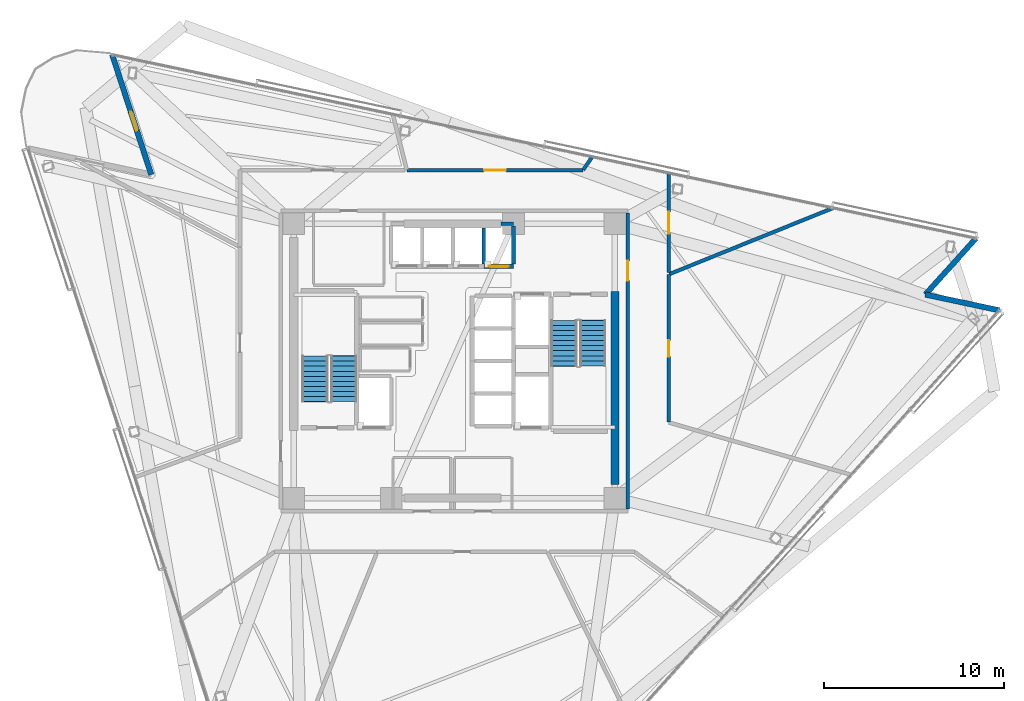
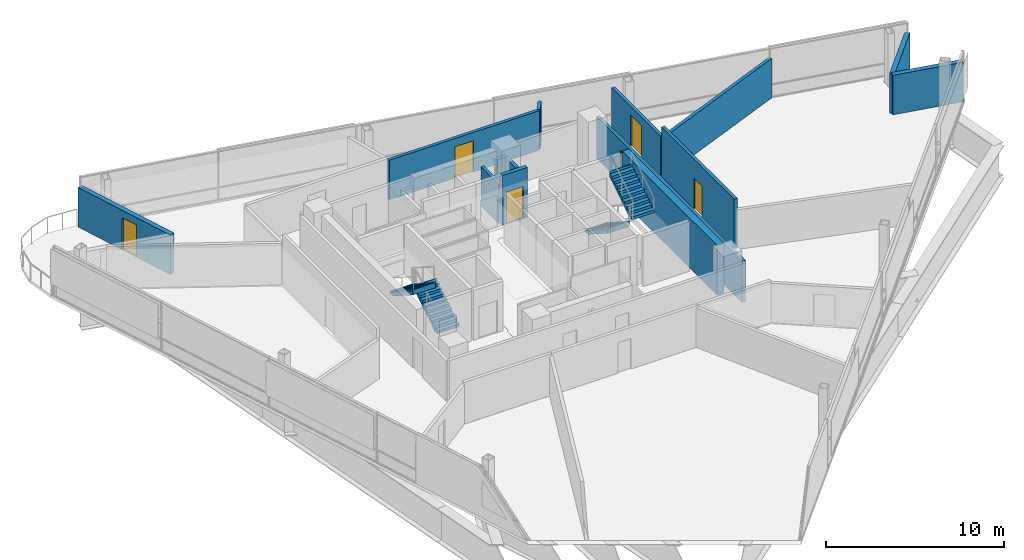
# One storey, part 12 of 17: 14 walls, 6 doors, 4 stair flights, 6 openings, 2 elements without a shape of their own.
"""IFC4 building model written with IfcOpenShell, lengths in metres."""

from ifc_helpers import new_model, si_unit, direction, frame, frame_2d, origin, place, context, subcontext, project, spatial, polyline, rectangle, outline, extrude, material, layer, layer_set, type_object, element, fill, aggregate, save


model = new_model("IFC4")

# Units and contexts
model_context = context("Model", 3, precision=1e-05, world=origin(), true_north=direction((0.0, 1.0)))
body_context = subcontext(model_context, "Body", "Model", "MODEL_VIEW")
ifc_project = project(units=[si_unit("LENGTHUNIT", "METRE"), si_unit("AREAUNIT", "SQUARE_METRE"), si_unit("VOLUMEUNIT", "CUBIC_METRE"), si_unit("PLANEANGLEUNIT", "RADIAN"), si_unit("MASSUNIT", "GRAM", prefix="KILO")], contexts=[model_context])

# Site, building, storey
site_placement = place(None, origin())
site = spatial("IfcSite", under=ifc_project, at=site_placement, CompositionType="ELEMENT")
building_placement = place(site_placement, origin())
building = spatial("IfcBuilding", under=site, at=building_placement, Name="Tharavind Bronze Gate", CompositionType="ELEMENT")
storey_placement = place(building_placement, frame((0.0, 0.0, 196.85009765625)))
storey = spatial("IfcBuildingStorey", under=building, at=storey_placement, Name="L50", CompositionType="ELEMENT", Elevation=196.85009765625)

# Wall, opening, door
ifc_material_1 = material(Name="Concrete C40/50", Category="concrete")
ifc_layer_1 = layer(ifc_material_1, 0.300048828125)
ifc_layer_set_1 = layer_set([ifc_layer_1], Name="Concrete C40/50")
wall_type_1 = type_object("IfcWallType", Name="EXTERIOR SPANDREL WALL 300", PredefinedType="STANDARD", material=ifc_layer_set_1)
wall_1_placement = place(storey_placement, frame((-18.959716796875, 16.967529296875, 0.0), z_axis=(0.0, 0.0, 1.0), x_axis=(0.309030708092, -0.951052060329, 0.0)))
wall_1 = element("IfcWall", 1, at=wall_1_placement, inside=storey, type_object=wall_type_1, Name="L50 notch cheek wall 1A", PredefinedType="STANDARD", context=body_context, shape_type="SweptSolid", body=[
    extrude(rectangle(XDim=6.979736328125, YDim=0.300048828125, at=frame_2d((3.48974609375, 0.0))), origin(), (0.0, 0.0, 1.0), 2.71484375),
])
opening_1_placement = place(wall_1_placement, frame((3.31005859375, 0.0, 0.0)))
opening_1 = element("IfcOpeningElement", 2, at=opening_1_placement, cuts=wall_1, Name="Opening ED04", PredefinedType="OPENING", context=body_context, shape_type="SweptSolid", body=[
    extrude(rectangle(XDim=1.10009765625, YDim=2.199951171875, at=frame_2d((0.550048828125, 1.10009765625))), frame((0.0, 0.15990234375, 0.0), z_axis=(0.0, -1.0, 0.0), x_axis=(1.0, 0.0, 0.0)), (0.0, 0.0, 1.0), 0.320048828125),
])
ifc_material_2 = material(Name="Bronze Aluminium & Toughened Glass", Category="aluminium")
door_type_1 = type_object("IfcDoorType", Name="TREE BALCONY ACCESS DOOR 1100X2200", OperationType="SINGLE_SWING_LEFT", PredefinedType="DOOR", material=ifc_material_2)
door_1_placement = place(opening_1_placement, origin())
door_1 = element("IfcDoor", 3, at=door_1_placement, inside=storey, type_object=door_type_1, Name="L50 tree balcony access door", OperationType="SINGLE_SWING_LEFT", OverallHeight=2.199951171875, OverallWidth=1.10009765625, PredefinedType="DOOR", context=body_context, shape_type="SweptSolid", body=[
    extrude(rectangle(XDim=1.10009765625, YDim=2.199951171875, at=frame_2d((0.550048828125, 1.10009765625))), frame((0.0, 0.02490234375, 0.0), z_axis=(0.0, -1.0, 0.0), x_axis=(1.0, 0.0, 0.0)), (0.0, 0.0, 1.0), 0.050048828125),
])
fill(opening_1, door_1)

# Walls
for number, where, z_axis, x_axis, name in (
    (4, (30.199462890625, 2.810546875, 0.0), (0.0, 0.0, 1.0), (-0.978144033538, 0.207928472445, 0.0), "L50 notch cheek wall 3A"),
    (5, (26.102783203125, 3.681396484375, 0.0), (0.0, 0.0, 1.0), (0.669151507466, 0.743126005504, 0.0), "L50 notch cheek wall 3B"),
):
    element("IfcWall", number, at=place(storey_placement, frame(where, z_axis=z_axis, x_axis=x_axis)), inside=storey, type_object=wall_type_1, Name=name, PredefinedType="STANDARD", context=body_context, shape_type="SweptSolid", body=[
        extrude(rectangle(XDim=4.188232421875, YDim=0.300048828125, at=frame_2d((2.09423828125, 0.0))), origin(), (0.0, 0.0, 1.0), 2.71484375),
    ])

# Wall, opening, door
ifc_material_3 = material(Name="Aerated Concrete Block", Category="concrete")
ifc_layer_2 = layer(ifc_material_3, 0.199951171875)
ifc_layer_set_2 = layer_set([ifc_layer_2], Name="Aerated Concrete Block")
wall_type_2 = type_object("IfcWallType", Name="FIRE RATED PARTITION 200", PredefinedType="PARTITIONING", material=ifc_layer_set_2)
wall_2_placement = place(storey_placement, frame((9.6201171875, -8.199951171875, 0.0), z_axis=(0.0, 0.0, 1.0), x_axis=(0.0, 1.0, 0.0)))
wall_2 = element("IfcWall", 6, at=wall_2_placement, inside=storey, type_object=wall_type_2, Name="L50 east core corridor wall", PredefinedType="PARTITIONING", context=body_context, shape_type="SweptSolid", body=[
    extrude(rectangle(XDim=16.39990234375, YDim=0.199951171875, at=frame_2d((8.199951171875, 0.0))), origin(), (0.0, 0.0, 1.0), 2.864990234375),
])
opening_2_placement = place(wall_2_placement, frame((12.64990234375, 0.0, 0.0)))
opening_2 = element("IfcOpeningElement", 7, at=opening_2_placement, cuts=wall_2, Name="Opening ID01", PredefinedType="OPENING", context=body_context, shape_type="SweptSolid", body=[
    extrude(rectangle(XDim=1.10009765625, YDim=2.14990234375, at=frame_2d((0.550048828125, 1.074951171875))), frame((0.0, 0.11009765625, 0.0), z_axis=(0.0, -1.0, 0.0), x_axis=(1.0, 0.0, 0.0)), (0.0, 0.0, 1.0), 0.219951171875),
])
ifc_material_4 = material(Name="Fire-Rated Steel", Category="steel")
door_type_2 = type_object("IfcDoorType", Name="STAIR CORE FIRE DOOR 1100X2150", OperationType="SINGLE_SWING_LEFT", PredefinedType="DOOR", material=ifc_material_4)
door_2_placement = place(opening_2_placement, frame((1.10009765625, 0.0, 0.0), z_axis=(0.0, 0.0, 1.0), x_axis=(-1.0, 0.0, 0.0)))
door_2 = element("IfcDoor", 8, at=door_2_placement, inside=storey, type_object=door_type_2, Name="L50 north east stair lobby fire door", OperationType="SINGLE_SWING_LEFT", OverallHeight=2.14990234375, OverallWidth=1.10009765625, PredefinedType="DOOR", context=body_context, shape_type="SweptSolid", body=[
    extrude(rectangle(XDim=1.10009765625, YDim=2.14990234375, at=frame_2d((0.550048828125, 1.074951171875))), frame((0.0, 0.02490234375, 0.0), z_axis=(0.0, -1.0, 0.0), x_axis=(1.0, 0.0, 0.0)), (0.0, 0.0, 1.0), 0.050048828125),
])
fill(opening_2, door_2)

# Wall
wall_3_placement = place(storey_placement, frame((20.98291015625, 8.4775390625, 0.0), z_axis=(0.0, 0.0, 1.0), x_axis=(-0.927188658935, -0.374594701969, 0.0)))
element("IfcWall", 9, at=wall_3_placement, inside=storey, type_object=wall_type_2, Name="L50 Transfer Reception Lounge partition", PredefinedType="PARTITIONING", context=body_context, shape_type="SweptSolid", body=[
    extrude(rectangle(XDim=9.78076171875, YDim=0.199951171875, at=frame_2d((4.890380859375, 0.0))), origin(), (0.0, 0.0, 1.0), 2.71484375),
])

# Wall, opening, door
wall_4_placement = place(storey_placement, frame((11.8798828125, 4.9130859375, 0.0), z_axis=(0.0, 0.0, 1.0), x_axis=(0.0, 1.0, 0.0)))
wall_4 = element("IfcWall", 10, at=wall_4_placement, inside=storey, type_object=wall_type_2, Name="L50 Transfer Reception Lounge partition", PredefinedType="PARTITIONING", context=body_context, shape_type="SweptSolid", body=[
    extrude(rectangle(XDim=5.499267578125, YDim=0.199951171875, at=frame_2d((2.74951171875, 0.0))), origin(), (0.0, 0.0, 1.0), 2.71484375),
])
opening_3_placement = place(wall_4_placement, frame((2.14990234375, 0.0, 0.0)))
opening_3 = element("IfcOpeningElement", 11, at=opening_3_placement, cuts=wall_4, Name="Opening ID05", PredefinedType="OPENING", context=body_context, shape_type="SweptSolid", body=[
    extrude(rectangle(XDim=1.199951171875, YDim=2.14990234375, at=frame_2d((0.60009765625, 1.074951171875))), frame((0.0, 0.11009765625, 0.0), z_axis=(0.0, -1.0, 0.0), x_axis=(1.0, 0.0, 0.0)), (0.0, 0.0, 1.0), 0.219951171875),
])
ifc_material_5 = material(Name="Acoustic Laminated Glass", Category="glass")
door_type_3 = type_object("IfcDoorType", Name="MEETING ROOM GLAZED DOOR 1200X2150", OperationType="SINGLE_SWING_LEFT", PredefinedType="DOOR", material=ifc_material_5)
door_3_placement = place(opening_3_placement, origin())
door_3 = element("IfcDoor", 12, at=door_3_placement, inside=storey, type_object=door_type_3, Name="L50 Transfer Reception Lounge door", OperationType="SINGLE_SWING_LEFT", OverallHeight=2.14990234375, OverallWidth=1.199951171875, PredefinedType="DOOR", context=body_context, shape_type="SweptSolid", body=[
    extrude(rectangle(XDim=1.199951171875, YDim=2.14990234375, at=frame_2d((0.60009765625, 1.074951171875))), frame((0.0, 0.02490234375, 0.0), z_axis=(0.0, -1.0, 0.0), x_axis=(1.0, 0.0, 0.0)), (0.0, 0.0, 1.0), 0.050048828125),
])
fill(opening_3, door_3)

# Wall
wall_5_placement = place(storey_placement, frame((7.632080078125, 11.315185546875, 0.0), z_axis=(0.0, 0.0, 1.0), x_axis=(-0.55907910802, -0.829114317194, 0.0)))
element("IfcWall", 13, at=wall_5_placement, inside=storey, type_object=wall_type_2, Name="L50 Business Concierge Lounge partition", PredefinedType="PARTITIONING", context=body_context, shape_type="SweptSolid", body=[
    extrude(rectangle(XDim=0.873291015625, YDim=0.199951171875, at=frame_2d((0.4365234375, 0.0))), origin(), (0.0, 0.0, 1.0), 2.71484375),
])

# Wall, opening, door
wall_6_placement = place(storey_placement, frame((7.123046875, 10.580078125, 0.0), z_axis=(0.0, 0.0, 1.0), x_axis=(-1.0, 0.0, 0.0)))
wall_6 = element("IfcWall", 14, at=wall_6_placement, inside=storey, type_object=wall_type_2, Name="L50 Business Concierge Lounge partition", PredefinedType="PARTITIONING", context=body_context, shape_type="SweptSolid", body=[
    extrude(rectangle(XDim=9.741455078125, YDim=0.199951171875, at=frame_2d((4.87060546875, 0.0))), origin(), (0.0, 0.0, 1.0), 2.71484375),
])
opening_4_placement = place(wall_6_placement, frame((4.27099609375, 0.0, 0.0)))
opening_4 = element("IfcOpeningElement", 15, at=opening_4_placement, cuts=wall_6, Name="Opening ID05", PredefinedType="OPENING", context=body_context, shape_type="SweptSolid", body=[
    extrude(rectangle(XDim=1.199951171875, YDim=2.14990234375, at=frame_2d((0.60009765625, 1.074951171875))), frame((0.0, 0.11009765625, 0.0), z_axis=(0.0, -1.0, 0.0), x_axis=(1.0, 0.0, 0.0)), (0.0, 0.0, 1.0), 0.219951171875),
])
door_4_placement = place(opening_4_placement, origin())
door_4 = element("IfcDoor", 16, at=door_4_placement, inside=storey, type_object=door_type_3, Name="L50 Business Concierge Lounge door", OperationType="SINGLE_SWING_LEFT", OverallHeight=2.14990234375, OverallWidth=1.199951171875, PredefinedType="DOOR", context=body_context, shape_type="SweptSolid", body=[
    extrude(rectangle(XDim=1.199951171875, YDim=2.14990234375, at=frame_2d((0.60009765625, 1.074951171875))), frame((0.0, 0.02490234375, 0.0), z_axis=(0.0, -1.0, 0.0), x_axis=(1.0, 0.0, 0.0)), (0.0, 0.0, 1.0), 0.050048828125),
])
fill(opening_4, door_4)

wall_7_placement = place(storey_placement, frame((11.8798828125, -3.3876953125, 0.0), z_axis=(0.0, 0.0, 1.0), x_axis=(0.0, 1.0, 0.0)))
wall_7 = element("IfcWall", 17, at=wall_7_placement, inside=storey, type_object=wall_type_2, Name="L50 Back-of-House Store partition", PredefinedType="PARTITIONING", context=body_context, shape_type="SweptSolid", body=[
    extrude(rectangle(XDim=8.170654296875, YDim=0.199951171875, at=frame_2d((4.08544921875, 0.0))), origin(), (0.0, 0.0, 1.0), 3.419921875),
])
opening_5_placement = place(wall_7_placement, frame((3.635009765625, 0.0, 0.0)))
opening_5 = element("IfcOpeningElement", 18, at=opening_5_placement, cuts=wall_7, Name="Opening ID07", PredefinedType="OPENING", context=body_context, shape_type="SweptSolid", body=[
    extrude(rectangle(XDim=0.89990234375, YDim=2.10009765625, at=frame_2d((0.449951171875, 1.050048828125))), frame((0.0, 0.11009765625, 0.0), z_axis=(0.0, -1.0, 0.0), x_axis=(1.0, 0.0, 0.0)), (0.0, 0.0, 1.0), 0.219951171875),
])
ifc_material_6 = material(Name="Galvanised Fire Steel", Category="steel")
door_type_4 = type_object("IfcDoorType", Name="PLANT AND RISER FIRE DOOR 900X2100", OperationType="SINGLE_SWING_LEFT", PredefinedType="DOOR", material=ifc_material_6)
door_5_placement = place(opening_5_placement, origin())
door_5 = element("IfcDoor", 19, at=door_5_placement, inside=storey, type_object=door_type_4, Name="L50 Back-of-House Store door", OperationType="SINGLE_SWING_LEFT", OverallHeight=2.10009765625, OverallWidth=0.89990234375, PredefinedType="DOOR", context=body_context, shape_type="SweptSolid", body=[
    extrude(rectangle(XDim=0.89990234375, YDim=2.10009765625, at=frame_2d((0.449951171875, 1.050048828125))), frame((0.0, 0.02490234375, 0.0), z_axis=(0.0, -1.0, 0.0), x_axis=(1.0, 0.0, 0.0)), (0.0, 0.0, 1.0), 0.050048828125),
])
fill(opening_5, door_5)

ifc_material_7 = material(Name="Concrete C50/60", Category="concrete")
ifc_layer_3 = layer(ifc_material_7, 0.25)
ifc_layer_set_3 = layer_set([ifc_layer_3], Name="Concrete C50/60")
wall_type_3 = type_object("IfcWallType", Name="RC CORE SHEAR WALL 250", PredefinedType="SHEAR", material=ifc_layer_set_3)
wall_8_placement = place(storey_placement, frame((1.637451171875, 5.25, 0.0), z_axis=(0.0, 0.0, 1.0), x_axis=(1.0, 0.0, 0.0)))
wall_8 = element("IfcWall", 20, at=wall_8_placement, inside=storey, type_object=wall_type_3, Name="L50 lift PL8 shaft front wall", PredefinedType="SHEAR", context=body_context, shape_type="SweptSolid", body=[
    extrude(rectangle(XDim=1.642578125, YDim=0.25, at=frame_2d((0.8212890625, 0.0))), origin(), (0.0, 0.0, 1.0), 3.419921875),
])
opening_6_placement = place(wall_8_placement, frame((0.27099609375, 0.0, 0.0)))
opening_6 = element("IfcOpeningElement", 21, at=opening_6_placement, cuts=wall_8, Name="Opening LD01", PredefinedType="OPENING", context=body_context, shape_type="SweptSolid", body=[
    extrude(rectangle(XDim=1.10009765625, YDim=2.199951171875, at=frame_2d((0.550048828125, 1.10009765625))), frame((0.0, 0.135, 0.0), z_axis=(0.0, -1.0, 0.0), x_axis=(1.0, 0.0, 0.0)), (0.0, 0.0, 1.0), 0.27),
])
ifc_material_8 = material(Name="Brushed Bronze Stainless Steel", Category="steel")
door_type_5 = type_object("IfcDoorType", Name="LIFT LANDING SLIDING DOOR 1100X2200", OperationType="SLIDING_TO_LEFT", PredefinedType="DOOR", material=ifc_material_8)
door_6_placement = place(opening_6_placement, origin())
door_6 = element("IfcDoor", 22, at=door_6_placement, inside=storey, type_object=door_type_5, Name="L50 lift PL8 sliding landing door", OperationType="SLIDING_TO_LEFT", OverallHeight=2.199951171875, OverallWidth=1.10009765625, PredefinedType="DOOR", context=body_context, shape_type="SweptSolid", body=[
    extrude(rectangle(XDim=1.10009765625, YDim=2.199951171875, at=frame_2d((0.550048828125, 1.10009765625))), frame((0.0, 0.02490234375, 0.0), z_axis=(0.0, -1.0, 0.0), x_axis=(1.0, 0.0, 0.0)), (0.0, 0.0, 1.0), 0.050048828125),
])
fill(opening_6, door_6)

# Walls
ifc_material_9 = material(Name="Concrete C60/75", Category="concrete")
ifc_layer_4 = layer(ifc_material_9, 0.449951171875)
ifc_layer_set_4 = layer_set([ifc_layer_4], Name="Concrete C60/75")
wall_type_4 = type_object("IfcWallType", Name="RC CORE SHEAR WALL 450", PredefinedType="SHEAR", material=ifc_layer_set_4)
wall_9_placement = place(storey_placement, frame((8.89990234375, -6.85009765625, 0.0), z_axis=(0.0, 0.0, 1.0), x_axis=(0.0, 1.0, 0.0)))
element("IfcWall", 23, at=wall_9_placement, inside=storey, type_object=wall_type_4, Name="L50 east core shear wall", PredefinedType="SHEAR", context=body_context, shape_type="SweptSolid", body=[
    extrude(rectangle(XDim=10.7001953125, YDim=0.449951171875, at=frame_2d((5.35009765625, 0.0))), origin(), (0.0, 0.0, 1.0), 3.419921875),
])
ifc_layer_5 = layer(ifc_material_1, 0.199951171875)
ifc_layer_set_5 = layer_set([ifc_layer_5], Name="Concrete C40/50")
wall_type_5 = type_object("IfcWallType", Name="SHAFT ENCLOSURE WALL 200", PredefinedType="PARTITIONING", material=ifc_layer_set_5)
wall_10_placement = place(storey_placement, frame((1.637451171875, 5.3798828125, 0.0), z_axis=(0.0, 0.0, 1.0), x_axis=(0.0, 1.0, 0.0)))
element("IfcWall", 24, at=wall_10_placement, inside=storey, type_object=wall_type_5, Name="L50 lift PL7 shaft E enclosure wall", PredefinedType="PARTITIONING", context=body_context, shape_type="SweptSolid", body=[
    extrude(rectangle(XDim=1.990234375, YDim=0.199951171875, at=frame_2d((0.9951171875, 0.0))), origin(), (0.0, 0.0, 1.0), 2.71484375),
])
wall_11_placement = place(storey_placement, frame((2.580078125, 7.60009765625, 0.0), z_axis=(0.0, 0.0, 1.0), x_axis=(1.0, 0.0, 0.0)))
element("IfcWall", 25, at=wall_11_placement, inside=storey, type_object=wall_type_5, Name="L50 lift PL8 shaft N enclosure wall", PredefinedType="PARTITIONING", context=body_context, shape_type="SweptSolid", body=[
    extrude(rectangle(XDim=0.699951171875, YDim=0.199951171875, at=frame_2d((0.35009765625, 0.0))), origin(), (0.0, 0.0, 1.0), 2.71484375),
])
wall_12_placement = place(storey_placement, frame((3.280029296875, 5.3798828125, 0.0), z_axis=(0.0, 0.0, 1.0), x_axis=(0.0, 1.0, 0.0)))
element("IfcWall", 26, at=wall_12_placement, inside=storey, type_object=wall_type_5, Name="L50 lift PL8 shaft E enclosure wall", PredefinedType="PARTITIONING", context=body_context, shape_type="SweptSolid", body=[
    extrude(rectangle(XDim=2.115234375, YDim=0.199951171875, at=frame_2d((1.0576171875, 0.0))), origin(), (0.0, 0.0, 1.0), 2.71484375),
])

# Stair, stair flights
stair_type = type_object("IfcStairType", Name="CORE HALF TURN STAIR 1450", PredefinedType="HALF_TURN_STAIR", material=ifc_material_1)
stair_1_placement = place(storey_placement, origin())
stair_1 = element("IfcStair", 27, at=stair_1_placement, inside=storey, type_object=stair_type, Name="L50 Protected Exit Stair ST1", PredefinedType="HALF_TURN_STAIR")
stair_flight_type = type_object("IfcStairFlightType", Name="CORE STAIR FLIGHT 1450", PredefinedType="STRAIGHT", material=ifc_material_1)
stair_flight_1_placement = place(storey_placement, frame((-6.125, -2.25, 0.0), z_axis=(0.0, 0.0, 1.0), x_axis=(0.0, 1.0, 0.0)))
stair_flight_1 = element("IfcStairFlight", 28, at=stair_flight_1_placement, type_object=stair_flight_type, Name="ST1 flight 1", NumberOfRisers=10, NumberOfTreads=9, PredefinedType="STRAIGHT", RiserHeight=0.18, TreadLength=0.28, context=body_context, shape_type="SweptSolid", body=[
    extrude(outline(polyline([(0.0, 0.0), (0.0, 0.179931640625), (0.280029296875, 0.179931640625), (0.280029296875, 0.360107421875), (0.56005859375, 0.360107421875), (0.56005859375, 0.5400390625), (0.840087890625, 0.5400390625), (0.840087890625, 0.719970703125), (1.1201171875, 0.719970703125), (1.1201171875, 0.89990234375), (1.39990234375, 0.89990234375), (1.39990234375, 1.080078125), (1.679931640625, 1.080078125), (1.679931640625, 1.260009765625), (1.9599609375, 1.260009765625), (1.9599609375, 1.43994140625), (2.239990234375, 1.43994140625), (2.239990234375, 1.6201171875), (2.52001953125, 1.6201171875), (2.52001953125, 1.800048828125), (2.555908203125, 1.800048828125), (2.555908203125, 1.44189453125), (0.277099609375, 0.0), (0.0, 0.0)])), frame((0.0, 0.72509765625, 0.0), z_axis=(0.0, -1.0, 0.0), x_axis=(1.0, 0.0, 0.0)), (0.0, 0.0, 1.0), 1.449951171875),
])
stair_flight_2_placement = place(storey_placement, frame((-7.72509765625, 0.27001953125, 1.7998046875), z_axis=(0.0, 0.0, 1.0), x_axis=(0.0, -1.0, 0.0)))
stair_flight_2 = element("IfcStairFlight", 29, at=stair_flight_2_placement, type_object=stair_flight_type, Name="ST1 flight 2", NumberOfRisers=10, NumberOfTreads=9, PredefinedType="STRAIGHT", RiserHeight=0.18, TreadLength=0.28, context=body_context, shape_type="SweptSolid", body=[
    extrude(outline(polyline([(0.0, 0.0), (0.0, 0.179931640625), (0.280029296875, 0.179931640625), (0.280029296875, 0.360107421875), (0.56005859375, 0.360107421875), (0.56005859375, 0.5400390625), (0.840087890625, 0.5400390625), (0.840087890625, 0.719970703125), (1.1201171875, 0.719970703125), (1.1201171875, 0.89990234375), (1.39990234375, 0.89990234375), (1.39990234375, 1.080078125), (1.679931640625, 1.080078125), (1.679931640625, 1.260009765625), (1.9599609375, 1.260009765625), (1.9599609375, 1.43994140625), (2.239990234375, 1.43994140625), (2.239990234375, 1.6201171875), (2.52001953125, 1.6201171875), (2.52001953125, 1.800048828125), (2.555908203125, 1.800048828125), (2.555908203125, 1.44189453125), (0.277099609375, 0.0), (0.0, 0.0)])), frame((0.0, 0.72509765625, 0.0), z_axis=(0.0, -1.0, 0.0), x_axis=(1.0, 0.0, 0.0)), (0.0, 0.0, 1.0), 1.449951171875),
])
aggregate(stair_1, [stair_flight_1, stair_flight_2])

stair_2_placement = place(storey_placement, origin())
stair_2 = element("IfcStair", 30, at=stair_2_placement, inside=storey, type_object=stair_type, Name="L50 Protected Exit Stair ST2", PredefinedType="HALF_TURN_STAIR")
stair_flight_3_placement = place(storey_placement, frame((6.074951171875, 2.25, 0.0), z_axis=(0.0, 0.0, 1.0), x_axis=(0.0, -1.0, 0.0)))
stair_flight_3 = element("IfcStairFlight", 31, at=stair_flight_3_placement, type_object=stair_flight_type, Name="ST2 flight 1", NumberOfRisers=10, NumberOfTreads=9, PredefinedType="STRAIGHT", RiserHeight=0.18, TreadLength=0.28, context=body_context, shape_type="SweptSolid", body=[
    extrude(outline(polyline([(0.0, 0.0), (0.0, 0.179931640625), (0.280029296875, 0.179931640625), (0.280029296875, 0.360107421875), (0.56005859375, 0.360107421875), (0.56005859375, 0.5400390625), (0.840087890625, 0.5400390625), (0.840087890625, 0.719970703125), (1.1201171875, 0.719970703125), (1.1201171875, 0.89990234375), (1.39990234375, 0.89990234375), (1.39990234375, 1.080078125), (1.679931640625, 1.080078125), (1.679931640625, 1.260009765625), (1.9599609375, 1.260009765625), (1.9599609375, 1.43994140625), (2.239990234375, 1.43994140625), (2.239990234375, 1.6201171875), (2.52001953125, 1.6201171875), (2.52001953125, 1.800048828125), (2.555908203125, 1.800048828125), (2.555908203125, 1.44189453125), (0.277099609375, 0.0), (0.0, 0.0)])), frame((0.0, 0.72509765625, 0.0), z_axis=(0.0, -1.0, 0.0), x_axis=(1.0, 0.0, 0.0)), (0.0, 0.0, 1.0), 1.449951171875),
])
stair_flight_4_placement = place(storey_placement, frame((7.675048828125, -0.27001953125, 1.7998046875), z_axis=(0.0, 0.0, 1.0), x_axis=(0.0, 1.0, 0.0)))
stair_flight_4 = element("IfcStairFlight", 32, at=stair_flight_4_placement, type_object=stair_flight_type, Name="ST2 flight 2", NumberOfRisers=10, NumberOfTreads=9, PredefinedType="STRAIGHT", RiserHeight=0.18, TreadLength=0.28, context=body_context, shape_type="SweptSolid", body=[
    extrude(outline(polyline([(0.0, 0.0), (0.0, 0.179931640625), (0.280029296875, 0.179931640625), (0.280029296875, 0.360107421875), (0.56005859375, 0.360107421875), (0.56005859375, 0.5400390625), (0.840087890625, 0.5400390625), (0.840087890625, 0.719970703125), (1.1201171875, 0.719970703125), (1.1201171875, 0.89990234375), (1.39990234375, 0.89990234375), (1.39990234375, 1.080078125), (1.679931640625, 1.080078125), (1.679931640625, 1.260009765625), (1.9599609375, 1.260009765625), (1.9599609375, 1.43994140625), (2.239990234375, 1.43994140625), (2.239990234375, 1.6201171875), (2.52001953125, 1.6201171875), (2.52001953125, 1.800048828125), (2.555908203125, 1.800048828125), (2.555908203125, 1.44189453125), (0.277099609375, 0.0), (0.0, 0.0)])), frame((0.0, 0.72509765625, 0.0), z_axis=(0.0, -1.0, 0.0), x_axis=(1.0, 0.0, 0.0)), (0.0, 0.0, 1.0), 1.449951171875),
])
aggregate(stair_2, [stair_flight_3, stair_flight_4])

save(model, "model.ifc")
